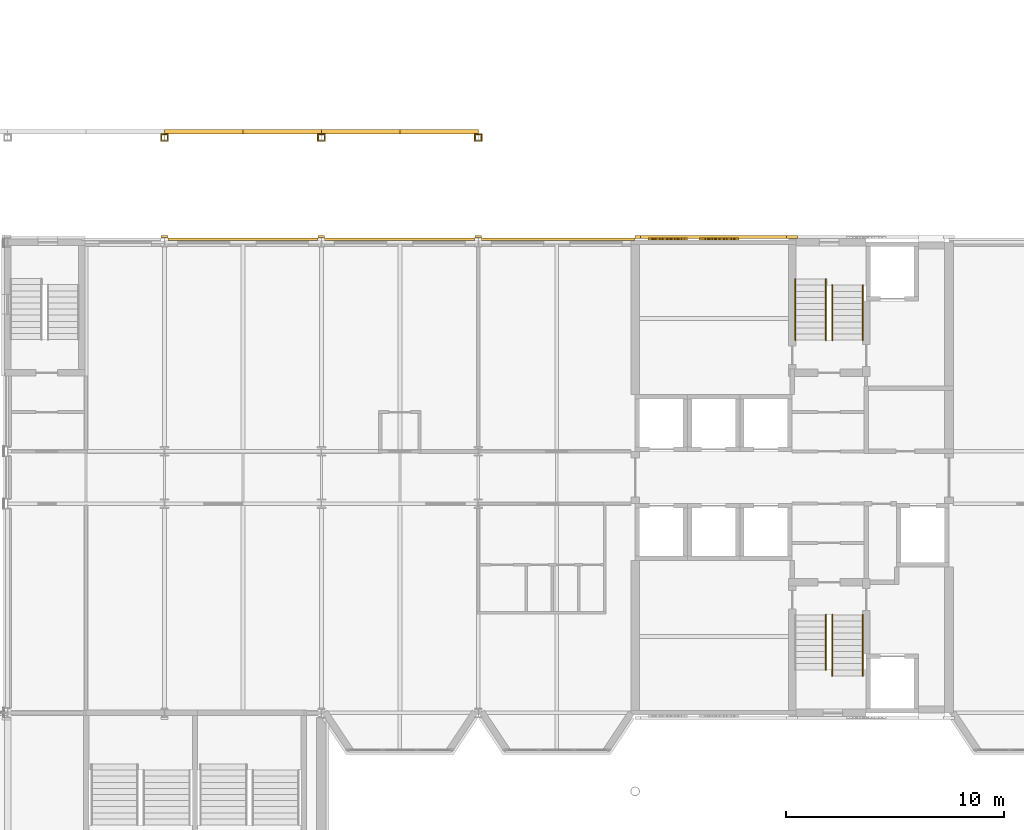
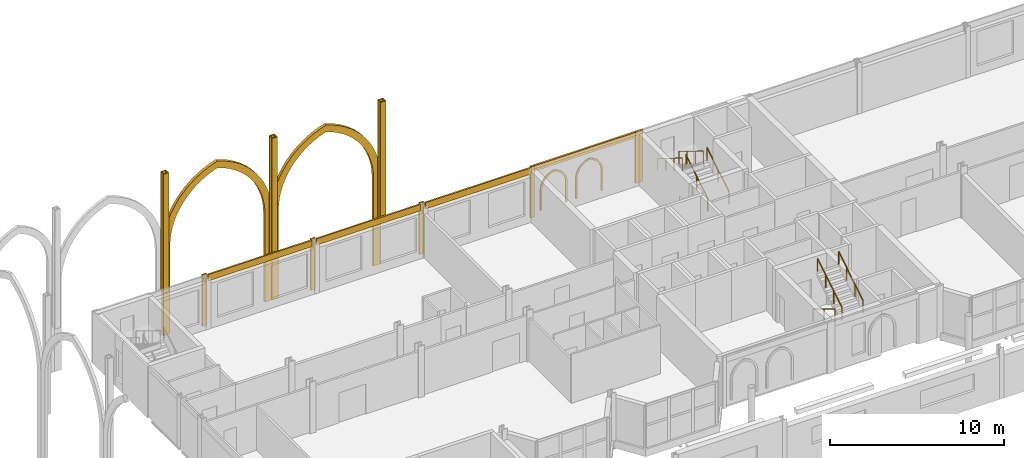
# One storey, part 110 of 124: 25 coverings, 7 railings.
"""IFC4 building model written with IfcOpenShell, lengths in metres."""

from ifc_helpers import new_model, si_unit, direction, frame, origin, origin_2d, place, context, subcontext, project, spatial, polyline, rectangle, circle, outline, extrude, material, layer, layer_set, type_object, element, save


model = new_model("IFC4")

# Units and contexts
model_context = context("Model", 3, precision=1e-05, world=origin(), true_north=direction((0.0, 1.0)))
body_context = subcontext(model_context, "Body", "Model", "MODEL_VIEW")
ifc_project = project(units=[si_unit("LENGTHUNIT", "METRE"), si_unit("AREAUNIT", "SQUARE_METRE"), si_unit("VOLUMEUNIT", "CUBIC_METRE"), si_unit("PLANEANGLEUNIT", "RADIAN"), si_unit("MASSUNIT", "GRAM", prefix="KILO")], contexts=[model_context])

# Site, building, storey
site_placement = place(None, origin())
site = spatial("IfcSite", under=ifc_project, at=site_placement, CompositionType="ELEMENT")
building_placement = place(site_placement, origin())
building = spatial("IfcBuilding", under=site, at=building_placement, Name="Kupolbacken Congress Centre", CompositionType="ELEMENT")
storey_placement = place(building_placement, frame((0.0, 0.0, 10.800048828125)))
storey = spatial("IfcBuildingStorey", under=building, at=storey_placement, Name="L03", CompositionType="ELEMENT", Elevation=10.800048828125)

# Coverings
ifc_material_1 = material(Name="Limestone cladding", Category="masonry")
ifc_layer = layer(ifc_material_1, 0.1201171875)
ifc_layer_set = layer_set([ifc_layer], Name="Limestone cladding")
covering_type = type_object("IfcCoveringType", Name="CV1 limestone cladding band 120", PredefinedType="CLADDING", material=ifc_layer_set)
covering_1_placement = place(storey_placement, frame((90.07666015625, 144.137451171875, 3.159912109375), z_axis=(0.0, 0.0, 1.0), x_axis=(-1.0, 0.0, 0.0)))
element("IfcCovering", 1, at=covering_1_placement, inside=storey, type_object=covering_type, Name="E/T/N/L03/038/band", PredefinedType="CLADDING", context=body_context, shape_type="SweptSolid", body=[
    extrude(rectangle(XDim=7.04638671875, YDim=0.10498046875, at=origin_2d()), origin(), (0.0, 0.0, 1.0), 0.43994140625),
])
for number, where, z_axis, x_axis, name in (
    (2, (82.800048828125, 144.137451171875, 3.159912109375), (0.0, 0.0, 1.0), (-1.0, 0.0, 0.0), "E/T/N/L03/039/band"),
    (3, (75.60009765625, 144.137451171875, 3.159912109375), (0.0, 0.0, 1.0), (-1.0, 0.0, 0.0), "E/T/N/L03/040/band"),
):
    element("IfcCovering", number, at=place(storey_placement, frame(where, z_axis=z_axis, x_axis=x_axis)), inside=storey, type_object=covering_type, Name=name, PredefinedType="CLADDING", context=body_context, shape_type="SweptSolid", body=[
        extrude(rectangle(XDim=6.89306640625, YDim=0.10498046875, at=origin_2d()), origin(), (0.0, 0.0, 1.0), 0.43994140625),
    ])
for number, where, z_axis, x_axis, name in (
    (4, (72.0, 148.945068359375, -0.330078125), (0.0, 0.0, 1.0), (1.0, 0.0, 0.0), "E/T/portico/N/col72/cladnU"),
    (5, (72.0, 148.655029296875, -0.330078125), (0.0, 0.0, 1.0), (1.0, 0.0, 0.0), "E/T/portico/N/col72/cladsU"),
):
    element("IfcCovering", number, at=place(storey_placement, frame(where, z_axis=z_axis, x_axis=x_axis)), inside=storey, type_object=covering_type, Name=name, PredefinedType="CLADDING", context=body_context, shape_type="SweptSolid", body=[
        extrude(rectangle(XDim=0.360107421875, YDim=0.06005859375, at=origin_2d()), origin(), (0.0, 0.0, 1.0), 8.330078125),
    ])
for number, where, z_axis, x_axis, name in (
    (6, (72.14990234375, 148.800048828125, -0.330078125), (0.0, 0.0, 1.0), (1.0, 0.0, 0.0), "E/T/portico/N/col72/cladeU"),
    (7, (71.85009765625, 148.800048828125, -0.330078125), (0.0, 0.0, 1.0), (1.0, 0.0, 0.0), "E/T/portico/N/col72/cladwU"),
):
    element("IfcCovering", number, at=place(storey_placement, frame(where, z_axis=z_axis, x_axis=x_axis)), inside=storey, type_object=covering_type, Name=name, PredefinedType="CLADDING", context=body_context, shape_type="SweptSolid", body=[
        extrude(rectangle(XDim=0.06005859375, YDim=0.22998046875, at=origin_2d()), origin(), (0.0, 0.0, 1.0), 8.330078125),
    ])
for number, where, z_axis, x_axis, name in (
    (8, (79.199951171875, 148.945068359375, -0.330078125), (0.0, 0.0, 1.0), (1.0, 0.0, 0.0), "E/T/portico/N/col79.2/cladnU"),
    (9, (79.199951171875, 148.655029296875, -0.330078125), (0.0, 0.0, 1.0), (1.0, 0.0, 0.0), "E/T/portico/N/col79.2/cladsU"),
):
    element("IfcCovering", number, at=place(storey_placement, frame(where, z_axis=z_axis, x_axis=x_axis)), inside=storey, type_object=covering_type, Name=name, PredefinedType="CLADDING", context=body_context, shape_type="SweptSolid", body=[
        extrude(rectangle(XDim=0.360107421875, YDim=0.06005859375, at=origin_2d()), origin(), (0.0, 0.0, 1.0), 8.330078125),
    ])
for number, where, z_axis, x_axis, name in (
    (10, (79.35009765625, 148.800048828125, -0.330078125), (0.0, 0.0, 1.0), (1.0, 0.0, 0.0), "E/T/portico/N/col79.2/cladeU"),
    (11, (79.050048828125, 148.800048828125, -0.330078125), (0.0, 0.0, 1.0), (1.0, 0.0, 0.0), "E/T/portico/N/col79.2/cladwU"),
):
    element("IfcCovering", number, at=place(storey_placement, frame(where, z_axis=z_axis, x_axis=x_axis)), inside=storey, type_object=covering_type, Name=name, PredefinedType="CLADDING", context=body_context, shape_type="SweptSolid", body=[
        extrude(rectangle(XDim=0.06005859375, YDim=0.22998046875, at=origin_2d()), origin(), (0.0, 0.0, 1.0), 8.330078125),
    ])
for number, where, z_axis, x_axis, name in (
    (12, (86.39990234375, 148.945068359375, -0.330078125), (0.0, 0.0, 1.0), (1.0, 0.0, 0.0), "E/T/portico/N/col86.4/cladnU"),
    (13, (86.39990234375, 148.655029296875, -0.330078125), (0.0, 0.0, 1.0), (1.0, 0.0, 0.0), "E/T/portico/N/col86.4/cladsU"),
):
    element("IfcCovering", number, at=place(storey_placement, frame(where, z_axis=z_axis, x_axis=x_axis)), inside=storey, type_object=covering_type, Name=name, PredefinedType="CLADDING", context=body_context, shape_type="SweptSolid", body=[
        extrude(rectangle(XDim=0.360107421875, YDim=0.06005859375, at=origin_2d()), origin(), (0.0, 0.0, 1.0), 8.330078125),
    ])
for number, where, z_axis, x_axis, name in (
    (14, (86.550048828125, 148.800048828125, -0.330078125), (0.0, 0.0, 1.0), (1.0, 0.0, 0.0), "E/T/portico/N/col86.4/cladeU"),
    (15, (86.25, 148.800048828125, -0.330078125), (0.0, 0.0, 1.0), (1.0, 0.0, 0.0), "E/T/portico/N/col86.4/cladwU"),
):
    element("IfcCovering", number, at=place(storey_placement, frame(where, z_axis=z_axis, x_axis=x_axis)), inside=storey, type_object=covering_type, Name=name, PredefinedType="CLADDING", context=body_context, shape_type="SweptSolid", body=[
        extrude(rectangle(XDim=0.06005859375, YDim=0.22998046875, at=origin_2d()), origin(), (0.0, 0.0, 1.0), 8.330078125),
    ])
covering_2_placement = place(storey_placement, frame((72.0, 148.97509765625, -3.60009765625), z_axis=(0.0, 1.0, 0.0), x_axis=(-1.0, 0.0, 0.0)))
element("IfcCovering", 16, at=covering_2_placement, inside=storey, type_object=covering_type, Name="E/T/portal/N/arch72", PredefinedType="CLADDING", context=body_context, shape_type="SweptSolid", body=[
    extrude(outline(polyline([(0.0, 0.0), (0.0, 6.199951171875), (-0.02099609375, 6.658935546875), (-0.084228515625, 7.114013671875), (-0.18896484375, 7.5615234375), (-0.334228515625, 7.997314453125), (-0.518798828125, 8.418212890625), (-0.741455078125, 8.820068359375), (-1.0, 9.199951171875), (-1.292236328125, 9.554443359375), (-1.615966796875, 9.880615234375), (-1.968017578125, 10.17578125), (-2.345703125, 10.4375), (-2.74609375, 10.6630859375), (-3.165283203125, 10.851318359375), (-3.60009765625, 11.0), (-4.03466796875, 10.851318359375), (-4.4541015625, 10.6630859375), (-4.854248046875, 10.4375), (-5.23193359375, 10.17578125), (-5.583984375, 9.880615234375), (-5.90771484375, 9.554443359375), (-6.199951171875, 9.199951171875), (-6.45849609375, 8.820068359375), (-6.68115234375, 8.418212890625), (-6.86572265625, 7.997314453125), (-7.010986328125, 7.5615234375), (-7.11572265625, 7.114013671875), (-7.178955078125, 6.658935546875), (-7.199951171875, 6.199951171875), (-7.199951171875, 0.0), (-6.75, 0.0), (-6.75, 6.199951171875), (-6.731689453125, 6.6083984375), (-6.6767578125, 7.01318359375), (-6.585693359375, 7.411865234375), (-6.459228515625, 7.800537109375), (-6.29833984375, 8.17626953125), (-6.1044921875, 8.535888671875), (-5.879150390625, 8.876953125), (-5.6240234375, 9.1962890625), (-5.34130859375, 9.491455078125), (-5.033203125, 9.76025390625), (-4.702392578125, 10.0), (-4.351318359375, 10.209228515625), (-3.98291015625, 10.38623046875), (-3.60009765625, 10.529296875), (-3.217041015625, 10.38623046875), (-2.8486328125, 10.209228515625), (-2.49755859375, 10.0), (-2.166748046875, 9.76025390625), (-1.858642578125, 9.491455078125), (-1.575927734375, 9.1962890625), (-1.32080078125, 8.876953125), (-1.095458984375, 8.535888671875), (-0.901611328125, 8.17626953125), (-0.74072265625, 7.800537109375), (-0.6142578125, 7.411865234375), (-0.523193359375, 7.01318359375), (-0.468505859375, 6.6083984375), (-0.449951171875, 6.199951171875), (-0.449951171875, 0.0), (0.0, 0.0)])), origin(), (0.0, 0.0, 1.0), 0.199951171875),
])
covering_3_placement = place(storey_placement, frame((79.199951171875, 148.97509765625, -3.60009765625), z_axis=(0.0, 1.0, 0.0), x_axis=(-1.0, 0.0, 0.0)))
element("IfcCovering", 17, at=covering_3_placement, inside=storey, type_object=covering_type, Name="E/T/portal/N/arch79.2", PredefinedType="CLADDING", context=body_context, shape_type="SweptSolid", body=[
    extrude(outline(polyline([(0.0, 0.0), (0.0, 6.199951171875), (-0.02099609375, 6.658935546875), (-0.084228515625, 7.114013671875), (-0.18896484375, 7.5615234375), (-0.334228515625, 7.997314453125), (-0.518798828125, 8.418212890625), (-0.741455078125, 8.820068359375), (-1.0, 9.199951171875), (-1.292236328125, 9.554443359375), (-1.615966796875, 9.880615234375), (-1.968017578125, 10.17578125), (-2.345703125, 10.4375), (-2.74609375, 10.6630859375), (-3.165283203125, 10.851318359375), (-3.60009765625, 11.0), (-4.03466796875, 10.851318359375), (-4.4541015625, 10.6630859375), (-4.854248046875, 10.4375), (-5.23193359375, 10.17578125), (-5.583984375, 9.880615234375), (-5.90771484375, 9.554443359375), (-6.199951171875, 9.199951171875), (-6.45849609375, 8.820068359375), (-6.68115234375, 8.418212890625), (-6.86572265625, 7.997314453125), (-7.010986328125, 7.5615234375), (-7.11572265625, 7.114013671875), (-7.178955078125, 6.658935546875), (-7.199951171875, 6.199951171875), (-7.199951171875, 0.0), (-6.75, 0.0), (-6.75, 6.199951171875), (-6.731689453125, 6.6083984375), (-6.6767578125, 7.01318359375), (-6.585693359375, 7.411865234375), (-6.459228515625, 7.800537109375), (-6.29833984375, 8.17626953125), (-6.1044921875, 8.535888671875), (-5.879150390625, 8.876953125), (-5.6240234375, 9.1962890625), (-5.34130859375, 9.491455078125), (-5.033203125, 9.76025390625), (-4.702392578125, 10.0), (-4.351318359375, 10.209228515625), (-3.98291015625, 10.38623046875), (-3.60009765625, 10.529296875), (-3.217041015625, 10.38623046875), (-2.8486328125, 10.209228515625), (-2.49755859375, 10.0), (-2.166748046875, 9.76025390625), (-1.858642578125, 9.491455078125), (-1.575927734375, 9.1962890625), (-1.32080078125, 8.876953125), (-1.095458984375, 8.535888671875), (-0.901611328125, 8.17626953125), (-0.74072265625, 7.800537109375), (-0.6142578125, 7.411865234375), (-0.523193359375, 7.01318359375), (-0.468505859375, 6.6083984375), (-0.449951171875, 6.199951171875), (-0.449951171875, 0.0), (0.0, 0.0)])), origin(), (0.0, 0.0, 1.0), 0.199951171875),
])
for number, where, z_axis, x_axis, name in (
    (18, (72.0, 144.26611328125, 0.0), (0.0, 0.0, 1.0), (1.0, 0.0, 0.0), "E/T/pilaster/L03/C-T-11W/N"),
    (19, (79.199951171875, 144.26611328125, 0.0), (0.0, 0.0, 1.0), (1.0, 0.0, 0.0), "E/T/pilaster/L03/C-T-12W/N"),
    (20, (86.39990234375, 144.26611328125, 0.0), (0.0, 0.0, 1.0), (1.0, 0.0, 0.0), "E/T/pilaster/L03/C-T-13W/N"),
):
    element("IfcCovering", number, at=place(storey_placement, frame(where, z_axis=z_axis, x_axis=x_axis)), inside=storey, type_object=covering_type, Name=name, PredefinedType="CLADDING", context=body_context, shape_type="SweptSolid", body=[
        extrude(rectangle(XDim=0.306884765625, YDim=0.10009765625, at=origin_2d()), origin(), (0.0, 0.0, 1.0), 3.60009765625),
    ])
covering_4_placement = place(storey_placement, frame((93.72509765625, 144.235107421875, 0.0), z_axis=(0.0, 0.0, 1.0), x_axis=(1.0, 0.0, 0.0)))
element("IfcCovering", 21, at=covering_4_placement, inside=storey, type_object=covering_type, Name="E/T/stripe/N/L03/pil93.6", PredefinedType="CLADDING", context=body_context, shape_type="SweptSolid", body=[
    extrude(rectangle(XDim=0.25, YDim=0.1201171875, at=origin_2d()), origin(), (0.0, 0.0, 1.0), 3.60009765625),
])
covering_5_placement = place(storey_placement, frame((100.800048828125, 144.235107421875, 0.0), z_axis=(0.0, 0.0, 1.0), x_axis=(1.0, 0.0, 0.0)))
element("IfcCovering", 22, at=covering_5_placement, inside=storey, type_object=covering_type, Name="E/T/stripe/N/L03/pil100.8", PredefinedType="CLADDING", context=body_context, shape_type="SweptSolid", body=[
    extrude(rectangle(XDim=0.5, YDim=0.1201171875, at=origin_2d()), origin(), (0.0, 0.0, 1.0), 3.60009765625),
])
covering_6_placement = place(storey_placement, frame((97.199951171875, 144.235107421875, 3.199951171875), z_axis=(0.0, 0.0, 1.0), x_axis=(1.0, 0.0, 0.0)))
element("IfcCovering", 23, at=covering_6_placement, inside=storey, type_object=covering_type, Name="E/T/stripe/N/L03/belt93.6", PredefinedType="CLADDING", context=body_context, shape_type="SweptSolid", body=[
    extrude(rectangle(XDim=6.699951171875, YDim=0.1201171875, at=origin_2d()), origin(), (0.0, 0.0, 1.0), 0.39990234375),
])
covering_7_placement = place(storey_placement, frame((94.199951171875, 144.10009765625, 0.349853515625), z_axis=(0.0, 1.0, 0.0), x_axis=(-1.0, 0.0, 0.0)))
element("IfcCovering", 24, at=covering_7_placement, inside=storey, type_object=covering_type, Name="E/T/stripe/N/L03/niche93.6/1", PredefinedType="CLADDING", context=body_context, shape_type="SweptSolid", body=[
    extrude(outline(polyline([(0.0, 0.0), (0.0, 1.43408203125), (-0.00537109375, 1.54443359375), (-0.021484375, 1.654052734375), (-0.048095703125, 1.761474609375), (-0.084716796875, 1.86572265625), (-0.131591796875, 1.966064453125), (-0.187744140625, 2.061279296875), (-0.2529296875, 2.15087890625), (-0.32666015625, 2.2333984375), (-0.40771484375, 2.30859375), (-0.495849609375, 2.37548828125), (-0.590087890625, 2.433837890625), (-0.689453125, 2.482421875), (-0.793212890625, 2.521240234375), (-0.89990234375, 2.550048828125), (-1.0068359375, 2.521240234375), (-1.110595703125, 2.482421875), (-1.2099609375, 2.433837890625), (-1.30419921875, 2.37548828125), (-1.39208984375, 2.30859375), (-1.473388671875, 2.2333984375), (-1.547119140625, 2.15087890625), (-1.6123046875, 2.061279296875), (-1.66845703125, 1.966064453125), (-1.715087890625, 1.86572265625), (-1.751953125, 1.761474609375), (-1.778564453125, 1.654052734375), (-1.794677734375, 1.54443359375), (-1.800048828125, 1.43408203125), (-1.800048828125, 0.0), (-1.679931640625, 0.0), (-1.679931640625, 1.43408203125), (-1.67529296875, 1.531005859375), (-1.66162109375, 1.627197265625), (-1.638671875, 1.7216796875), (-1.60693359375, 1.8134765625), (-1.566650390625, 1.90185546875), (-1.51806640625, 1.986083984375), (-1.461669921875, 2.065185546875), (-1.398193359375, 2.138916015625), (-1.327880859375, 2.205810546875), (-1.25146484375, 2.26611328125), (-1.169677734375, 2.318603515625), (-1.08349609375, 2.36328125), (-0.9931640625, 2.3994140625), (-0.89990234375, 2.427001953125), (-0.806884765625, 2.3994140625), (-0.716552734375, 2.36328125), (-0.63037109375, 2.318603515625), (-0.548583984375, 2.26611328125), (-0.47216796875, 2.205810546875), (-0.40185546875, 2.138916015625), (-0.33837890625, 2.065185546875), (-0.281982421875, 1.986083984375), (-0.2333984375, 1.90185546875), (-0.193115234375, 1.8134765625), (-0.161376953125, 1.7216796875), (-0.138427734375, 1.627197265625), (-0.12451171875, 1.531005859375), (-0.1201171875, 1.43408203125), (-0.1201171875, 0.0), (0.0, 0.0)])), origin(), (0.0, 0.0, 1.0), 0.080078125),
])
covering_8_placement = place(storey_placement, frame((96.550048828125, 144.10009765625, 0.349853515625), z_axis=(0.0, 1.0, 0.0), x_axis=(-1.0, 0.0, 0.0)))
element("IfcCovering", 25, at=covering_8_placement, inside=storey, type_object=covering_type, Name="E/T/stripe/N/L03/niche93.6/2", PredefinedType="CLADDING", context=body_context, shape_type="SweptSolid", body=[
    extrude(outline(polyline([(0.0, 0.0), (0.0, 1.43408203125), (-0.00537109375, 1.54443359375), (-0.021484375, 1.654052734375), (-0.048095703125, 1.761474609375), (-0.084716796875, 1.86572265625), (-0.131591796875, 1.966064453125), (-0.187744140625, 2.061279296875), (-0.2529296875, 2.15087890625), (-0.32666015625, 2.2333984375), (-0.40771484375, 2.30859375), (-0.495849609375, 2.37548828125), (-0.590087890625, 2.433837890625), (-0.689453125, 2.482421875), (-0.793212890625, 2.521240234375), (-0.89990234375, 2.550048828125), (-1.0068359375, 2.521240234375), (-1.110595703125, 2.482421875), (-1.2099609375, 2.433837890625), (-1.30419921875, 2.37548828125), (-1.39208984375, 2.30859375), (-1.473388671875, 2.2333984375), (-1.547119140625, 2.15087890625), (-1.6123046875, 2.061279296875), (-1.66845703125, 1.966064453125), (-1.715087890625, 1.86572265625), (-1.751953125, 1.761474609375), (-1.778564453125, 1.654052734375), (-1.794677734375, 1.54443359375), (-1.800048828125, 1.43408203125), (-1.800048828125, 0.0), (-1.679931640625, 0.0), (-1.679931640625, 1.43408203125), (-1.67529296875, 1.531005859375), (-1.66162109375, 1.627197265625), (-1.638671875, 1.7216796875), (-1.60693359375, 1.8134765625), (-1.566650390625, 1.90185546875), (-1.51806640625, 1.986083984375), (-1.461669921875, 2.065185546875), (-1.398193359375, 2.138916015625), (-1.327880859375, 2.205810546875), (-1.25146484375, 2.26611328125), (-1.169677734375, 2.318603515625), (-1.08349609375, 2.36328125), (-0.9931640625, 2.3994140625), (-0.89990234375, 2.427001953125), (-0.806884765625, 2.3994140625), (-0.716552734375, 2.36328125), (-0.63037109375, 2.318603515625), (-0.548583984375, 2.26611328125), (-0.47216796875, 2.205810546875), (-0.40185546875, 2.138916015625), (-0.33837890625, 2.065185546875), (-0.281982421875, 1.986083984375), (-0.2333984375, 1.90185546875), (-0.193115234375, 1.8134765625), (-0.161376953125, 1.7216796875), (-0.138427734375, 1.627197265625), (-0.12451171875, 1.531005859375), (-0.1201171875, 1.43408203125), (-0.1201171875, 0.0), (0.0, 0.0)])), origin(), (0.0, 0.0, 1.0), 0.080078125),
])

# Railings
ifc_material_2 = material(Name="Steel S235", Category="steel")
railing_type = type_object("IfcRailingType", Name="RL3 handrail wall-mounted 900", PredefinedType="HANDRAIL", material=ifc_material_2)
railing_placement = place(storey_placement, frame((102.35009765625, 126.89501953125, 0.17138671875)))
element("IfcRailing", 26, at=railing_placement, inside=storey, type_object=railing_type, Name="C/stair/TS1/L03/HR1L", PredefinedType="HANDRAIL", context=body_context, shape_type="SweptSolid", body=[
    extrude(circle(Radius=0.02392578125, at=origin_2d()), frame((0.0, 0.0, 0.8759765625), z_axis=(0.0, -0.852836285881, 0.522178388565), x_axis=(1.0, 0.0, 0.0)), (0.0, 0.0, 1.0), 2.954833984375),
    extrude(circle(Radius=0.02099609375, at=origin_2d()), origin(), (0.0, 0.0, 1.0), 0.851806640625),
    extrude(circle(Radius=0.02099609375, at=origin_2d()), frame((0.0, -1.260009765625, 0.771484375)), (0.0, 0.0, 1.0), 0.851806640625),
    extrude(circle(Radius=0.02099609375, at=origin_2d()), frame((0.0, -2.52001953125, 1.54296875)), (0.0, 0.0, 1.0), 0.851806640625),
])
for number, where, name in (
    (27, (102.64990234375, 124.094970703125, 1.8857421875), "C/stair/TS1/L03/HR2L"),
    (28, (104.050048828125, 124.094970703125, 1.8857421875), "C/stair/TS1/L03/HR2R"),
):
    element("IfcRailing", number, at=place(storey_placement, frame(where)), inside=storey, type_object=railing_type, Name=name, PredefinedType="HANDRAIL", context=body_context, shape_type="SweptSolid", body=[
        extrude(circle(Radius=0.02392578125, at=origin_2d()), frame((0.0, 0.0, 0.8759765625), z_axis=(0.0, 0.852879011914, 0.522108600807), x_axis=(-1.0, 0.0, 0.0)), (0.0, 0.0, 1.0), 3.282958984375),
        extrude(circle(Radius=0.02099609375, at=origin_2d()), origin(), (0.0, 0.0, 1.0), 0.851806640625),
        extrude(circle(Radius=0.02099609375, at=origin_2d()), frame((0.0, 0.933349609375, 0.5712890625)), (0.0, 0.0, 1.0), 0.851806640625),
        extrude(circle(Radius=0.02099609375, at=origin_2d()), frame((0.0, 1.86669921875, 1.142822265625)), (0.0, 0.0, 1.0), 0.851806640625),
        extrude(circle(Radius=0.02099609375, at=origin_2d()), frame((0.0, 2.800048828125, 1.714111328125)), (0.0, 0.0, 1.0), 0.851806640625),
    ])
for number, where, name in (
    (29, (102.64990234375, 139.5048828125, 0.17138671875), "C/stair/TS2/L03/HR1L"),
    (30, (104.050048828125, 139.5048828125, 0.17138671875), "C/stair/TS2/L03/HR1R"),
):
    element("IfcRailing", number, at=place(storey_placement, frame(where)), inside=storey, type_object=railing_type, Name=name, PredefinedType="HANDRAIL", context=body_context, shape_type="SweptSolid", body=[
        extrude(circle(Radius=0.02392578125, at=origin_2d()), frame((0.0, 0.0, 0.8759765625), z_axis=(0.0, 0.852836285881, 0.522178388565), x_axis=(-1.0, 0.0, 0.0)), (0.0, 0.0, 1.0), 2.954833984375),
        extrude(circle(Radius=0.02099609375, at=origin_2d()), origin(), (0.0, 0.0, 1.0), 0.851806640625),
        extrude(circle(Radius=0.02099609375, at=origin_2d()), frame((0.0, 1.260009765625, 0.771484375)), (0.0, 0.0, 1.0), 0.851806640625),
        extrude(circle(Radius=0.02099609375, at=origin_2d()), frame((0.0, 2.52001953125, 1.54296875)), (0.0, 0.0, 1.0), 0.851806640625),
    ])
for number, where, name in (
    (31, (102.35009765625, 142.304931640625, 1.8857421875), "C/stair/TS2/L03/HR2L"),
    (32, (100.949951171875, 142.304931640625, 1.8857421875), "C/stair/TS2/L03/HR2R"),
):
    element("IfcRailing", number, at=place(storey_placement, frame(where)), inside=storey, type_object=railing_type, Name=name, PredefinedType="HANDRAIL", context=body_context, shape_type="SweptSolid", body=[
        extrude(circle(Radius=0.02392578125, at=origin_2d()), frame((0.0, 0.0, 0.8759765625), z_axis=(0.0, -0.852879011914, 0.522108600807), x_axis=(1.0, 0.0, 0.0)), (0.0, 0.0, 1.0), 3.282958984375),
        extrude(circle(Radius=0.02099609375, at=origin_2d()), origin(), (0.0, 0.0, 1.0), 0.851806640625),
        extrude(circle(Radius=0.02099609375, at=origin_2d()), frame((0.0, -0.933349609375, 0.5712890625)), (0.0, 0.0, 1.0), 0.851806640625),
        extrude(circle(Radius=0.02099609375, at=origin_2d()), frame((0.0, -1.86669921875, 1.142822265625)), (0.0, 0.0, 1.0), 0.851806640625),
        extrude(circle(Radius=0.02099609375, at=origin_2d()), frame((0.0, -2.800048828125, 1.714111328125)), (0.0, 0.0, 1.0), 0.851806640625),
    ])

save(model, "model.ifc")
